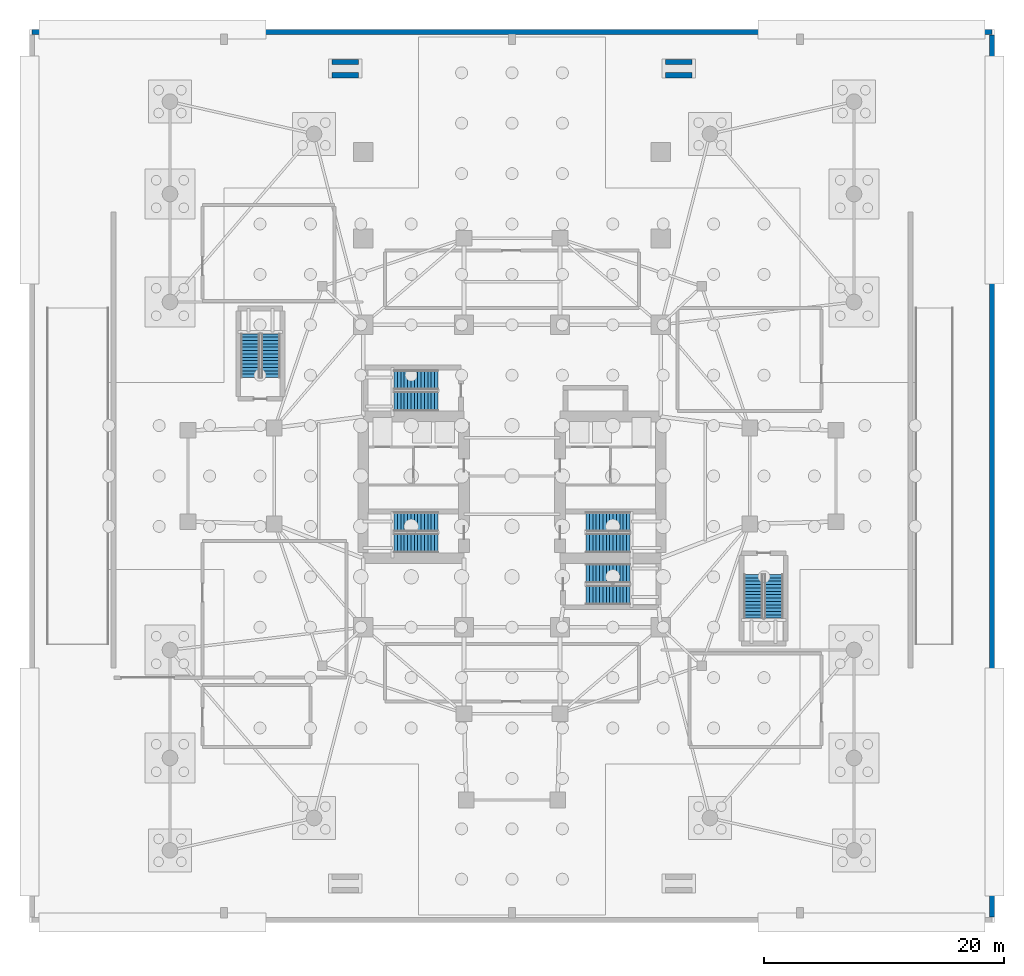
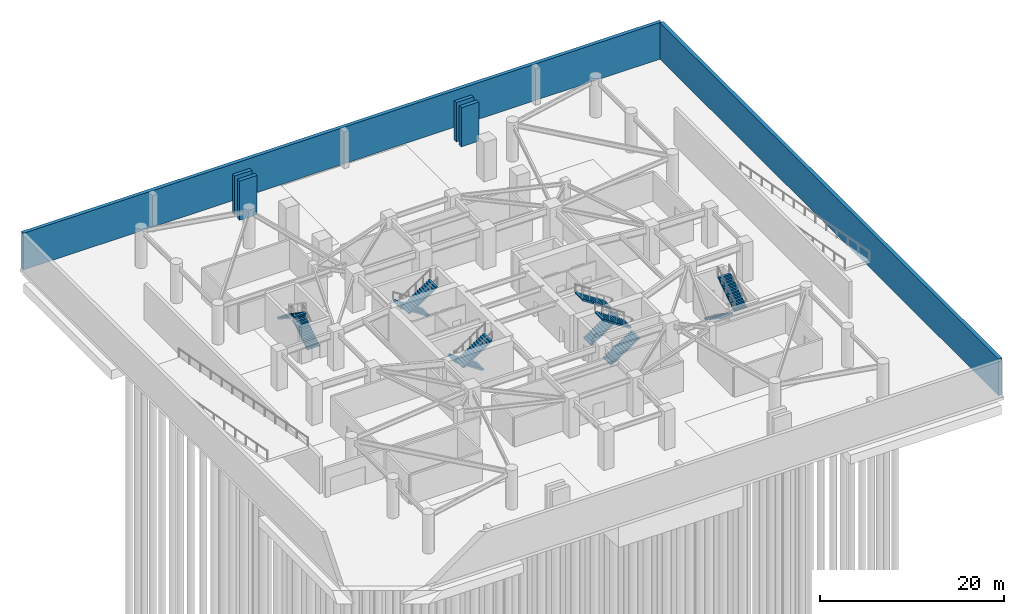
# One storey, part 8 of 14: 12 stair flights, 6 walls, 6 elements without a shape of their own.
"""IFC4 building model written with IfcOpenShell, lengths in metres."""

from ifc_helpers import new_model, si_unit, direction, frame, frame_2d, origin, place, context, subcontext, project, spatial, polyline, rectangle, outline, extrude, material, layer, layer_set, type_object, element, aggregate, save


model = new_model("IFC4")

# Units and contexts
model_context = context("Model", 3, precision=1e-05, world=origin(), true_north=direction((0.0, 1.0)))
body_context = subcontext(model_context, "Body", "Model", "MODEL_VIEW")
ifc_project = project(units=[si_unit("LENGTHUNIT", "METRE"), si_unit("AREAUNIT", "SQUARE_METRE"), si_unit("VOLUMEUNIT", "CUBIC_METRE"), si_unit("PLANEANGLEUNIT", "RADIAN"), si_unit("MASSUNIT", "GRAM", prefix="KILO")], contexts=[model_context])

# Site, building, storey
site_placement = place(None, origin())
site = spatial("IfcSite", under=ifc_project, at=site_placement, CompositionType="ELEMENT")
building_placement = place(site_placement, origin())
building = spatial("IfcBuilding", under=site, at=building_placement, Name="Qingluan Cross Belvedere", CompositionType="ELEMENT")
storey_placement = place(building_placement, frame((0.0, 0.0, -10.39990234375)))
storey = spatial("IfcBuildingStorey", under=building, at=storey_placement, Name="B2", CompositionType="ELEMENT", Elevation=-10.39990234375)

# Walls
ifc_material_1 = material(Name="Concrete C50", Category="concrete")
ifc_layer_1 = layer(ifc_material_1, 0.449951171875, Name="CoreShearWall_450")
ifc_layer_set_1 = layer_set([ifc_layer_1], Name="Concrete C50")
wall_type_1 = type_object("IfcWallType", Name="CoreShearWall_450", PredefinedType="SHEAR", material=ifc_layer_set_1)
for number, where, z_axis, x_axis, name in (
    (1, (-15.0, 34.5, 0.0), (0.0, 0.0, 1.0), (1.0, 0.0, 0.0), "Entrance ramp structural support wall B2-5"),
    (2, (-15.0, 33.39990234375, 0.0), (0.0, 0.0, 1.0), (1.0, 0.0, 0.0), "Entrance ramp structural support wall B2-6"),
    (3, (12.800048828125, 34.5, 0.0), (0.0, 0.0, 1.0), (1.0, 0.0, 0.0), "Entrance ramp structural support wall B2-7"),
    (4, (12.800048828125, 33.39990234375, 0.0), (0.0, 0.0, 1.0), (1.0, 0.0, 0.0), "Entrance ramp structural support wall B2-8"),
):
    element("IfcWall", number, at=place(storey_placement, frame(where, z_axis=z_axis, x_axis=x_axis)), inside=storey, type_object=wall_type_1, Name=name, PredefinedType="SHEAR", context=body_context, shape_type="SweptSolid", body=[
        extrude(rectangle(XDim=2.199951171875, YDim=0.449951171875, at=frame_2d((1.10009765625, 0.0))), origin(), (0.0, 0.0, 1.0), 5.199951171875),
    ])
ifc_material_2 = material(Name="Concrete C40", Category="concrete")
ifc_layer_2 = layer(ifc_material_2, 0.449951171875, Name="RetainingWall_450")
ifc_layer_set_2 = layer_set([ifc_layer_2], Name="Concrete C40")
wall_type_2 = type_object("IfcWallType", Name="RetainingWall_450", PredefinedType="USERDEFINED", material=ifc_layer_set_2)
wall_1_placement = place(storey_placement, frame((-40.0, 37.0, 0.0), z_axis=(0.0, 0.0, 1.0), x_axis=(1.0, 0.0, 0.0)))
element("IfcWall", 5, at=wall_1_placement, inside=storey, type_object=wall_type_2, Name="Basement perimeter retaining wall B2-N", ObjectType="RETAININGWALL", PredefinedType="USERDEFINED", context=body_context, shape_type="SweptSolid", body=[
    extrude(rectangle(XDim=80.0, YDim=0.449951171875, at=frame_2d((40.0, 0.0))), origin(), (0.0, 0.0, 1.0), 4.849853515625),
])
wall_2_placement = place(storey_placement, frame((40.0, -36.77001953125, 0.0), z_axis=(0.0, 0.0, 1.0), x_axis=(0.0, 1.0, 0.0)))
element("IfcWall", 6, at=wall_2_placement, inside=storey, type_object=wall_type_2, Name="Basement perimeter retaining wall B2-E", ObjectType="RETAININGWALL", PredefinedType="USERDEFINED", context=body_context, shape_type="SweptSolid", body=[
    extrude(rectangle(XDim=73.5400390625, YDim=0.449951171875, at=frame_2d((36.77001953125, 0.0))), origin(), (0.0, 0.0, 1.0), 4.849853515625),
])

# Stair, stair flights
ifc_material_3 = material(Name="Concrete C40", Category="concrete")
stair_type_1 = type_object("IfcStairType", Name="PodiumExitStair_1550", PredefinedType="HALF_TURN_STAIR", material=ifc_material_3)
stair_1_placement = place(storey_placement, origin())
stair_1 = element("IfcStair", 7, at=stair_1_placement, inside=storey, type_object=stair_type_1, Name="B2 ST5", PredefinedType="HALF_TURN_STAIR")
ifc_material_4 = material(Name="Concrete C40", Category="concrete")
ifc_layer_3 = layer(ifc_material_4, 0.179931640625, Name="PodiumStairFlight_RC180")
ifc_layer_set_3 = layer_set([ifc_layer_3], Name="Concrete C40")
stair_flight_type_1 = type_object("IfcStairFlightType", Name="PodiumStairFlight_RC180", PredefinedType="STRAIGHT", material=ifc_layer_set_3)
stair_flight_1_placement = place(storey_placement, frame((-20.114990234375, 8.2099609375, 0.0), z_axis=(0.0, 0.0, 1.0), x_axis=(0.0, 1.0, 0.0)))
stair_flight_1 = element("IfcStairFlight", 8, at=stair_flight_1_placement, type_object=stair_flight_type_1, Name="ST5 flight 1", NumberOfRisers=14, NumberOfTreads=13, PredefinedType="STRAIGHT", RiserHeight=0.185714286, TreadLength=0.28, context=body_context, shape_type="SweptSolid", body=[
    extrude(outline(polyline([(0.0, 0.0), (0.0, 0.185791015625), (0.280029296875, 0.185791015625), (0.280029296875, 0.371337890625), (0.56005859375, 0.371337890625), (0.56005859375, 0.55712890625), (0.840087890625, 0.55712890625), (0.840087890625, 0.742919921875), (1.1201171875, 0.742919921875), (1.1201171875, 0.928466796875), (1.39990234375, 0.928466796875), (1.39990234375, 1.1142578125), (1.679931640625, 1.1142578125), (1.679931640625, 1.300048828125), (1.9599609375, 1.300048828125), (1.9599609375, 1.485595703125), (2.239990234375, 1.485595703125), (2.239990234375, 1.67138671875), (2.52001953125, 1.67138671875), (2.52001953125, 1.857177734375), (2.800048828125, 1.857177734375), (2.800048828125, 2.04296875), (3.080078125, 2.04296875), (3.080078125, 2.228515625), (3.360107421875, 2.228515625), (3.360107421875, 2.414306640625), (3.639892578125, 2.414306640625), (3.639892578125, 2.60009765625), (3.639892578125, 2.234375), (0.271240234375, 0.0), (0.0, 0.0)])), frame((0.0, 0.77490234375, 0.0), z_axis=(0.0, -1.0, 0.0), x_axis=(1.0, 0.0, 0.0)), (0.0, 0.0, 1.0), 1.550048828125),
])
stair_flight_2_placement = place(storey_placement, frame((-21.824951171875, 11.85009765625, 2.599853515625), z_axis=(0.0, 0.0, 1.0), x_axis=(0.0, -1.0, 0.0)))
stair_flight_2 = element("IfcStairFlight", 9, at=stair_flight_2_placement, type_object=stair_flight_type_1, Name="ST5 flight 2", NumberOfRisers=14, NumberOfTreads=13, PredefinedType="STRAIGHT", RiserHeight=0.185714286, TreadLength=0.28, context=body_context, shape_type="SweptSolid", body=[
    extrude(outline(polyline([(0.0, 0.0), (0.0, 0.185791015625), (0.280029296875, 0.185791015625), (0.280029296875, 0.371337890625), (0.56005859375, 0.371337890625), (0.56005859375, 0.55712890625), (0.840087890625, 0.55712890625), (0.840087890625, 0.742919921875), (1.1201171875, 0.742919921875), (1.1201171875, 0.928466796875), (1.39990234375, 0.928466796875), (1.39990234375, 1.1142578125), (1.679931640625, 1.1142578125), (1.679931640625, 1.300048828125), (1.9599609375, 1.300048828125), (1.9599609375, 1.485595703125), (2.239990234375, 1.485595703125), (2.239990234375, 1.67138671875), (2.52001953125, 1.67138671875), (2.52001953125, 1.857177734375), (2.800048828125, 1.857177734375), (2.800048828125, 2.04296875), (3.080078125, 2.04296875), (3.080078125, 2.228515625), (3.360107421875, 2.228515625), (3.360107421875, 2.414306640625), (3.639892578125, 2.414306640625), (3.639892578125, 2.60009765625), (3.639892578125, 2.234375), (0.271240234375, 0.0), (0.0, 0.0)])), frame((0.0, 0.77490234375, 0.0), z_axis=(0.0, -1.0, 0.0), x_axis=(1.0, 0.0, 0.0)), (0.0, 0.0, 1.0), 1.550048828125),
])
aggregate(stair_1, [stair_flight_1, stair_flight_2])

stair_2_placement = place(storey_placement, origin())
stair_2 = element("IfcStair", 10, at=stair_2_placement, inside=storey, type_object=stair_type_1, Name="B2 ST6", PredefinedType="HALF_TURN_STAIR")
stair_flight_3_placement = place(storey_placement, frame((20.114990234375, -8.2099609375, 0.0), z_axis=(0.0, 0.0, 1.0), x_axis=(0.0, -1.0, 0.0)))
stair_flight_3 = element("IfcStairFlight", 11, at=stair_flight_3_placement, type_object=stair_flight_type_1, Name="ST6 flight 1", NumberOfRisers=14, NumberOfTreads=13, PredefinedType="STRAIGHT", RiserHeight=0.185714286, TreadLength=0.28, context=body_context, shape_type="SweptSolid", body=[
    extrude(outline(polyline([(0.0, 0.0), (0.0, 0.185791015625), (0.280029296875, 0.185791015625), (0.280029296875, 0.371337890625), (0.56005859375, 0.371337890625), (0.56005859375, 0.55712890625), (0.840087890625, 0.55712890625), (0.840087890625, 0.742919921875), (1.1201171875, 0.742919921875), (1.1201171875, 0.928466796875), (1.39990234375, 0.928466796875), (1.39990234375, 1.1142578125), (1.679931640625, 1.1142578125), (1.679931640625, 1.300048828125), (1.9599609375, 1.300048828125), (1.9599609375, 1.485595703125), (2.239990234375, 1.485595703125), (2.239990234375, 1.67138671875), (2.52001953125, 1.67138671875), (2.52001953125, 1.857177734375), (2.800048828125, 1.857177734375), (2.800048828125, 2.04296875), (3.080078125, 2.04296875), (3.080078125, 2.228515625), (3.360107421875, 2.228515625), (3.360107421875, 2.414306640625), (3.639892578125, 2.414306640625), (3.639892578125, 2.60009765625), (3.639892578125, 2.234375), (0.271240234375, 0.0), (0.0, 0.0)])), frame((0.0, 0.77490234375, 0.0), z_axis=(0.0, -1.0, 0.0), x_axis=(1.0, 0.0, 0.0)), (0.0, 0.0, 1.0), 1.550048828125),
])
stair_flight_4_placement = place(storey_placement, frame((21.824951171875, -11.85009765625, 2.599853515625), z_axis=(0.0, 0.0, 1.0), x_axis=(0.0, 1.0, 0.0)))
stair_flight_4 = element("IfcStairFlight", 12, at=stair_flight_4_placement, type_object=stair_flight_type_1, Name="ST6 flight 2", NumberOfRisers=14, NumberOfTreads=13, PredefinedType="STRAIGHT", RiserHeight=0.185714286, TreadLength=0.28, context=body_context, shape_type="SweptSolid", body=[
    extrude(outline(polyline([(0.0, 0.0), (0.0, 0.185791015625), (0.280029296875, 0.185791015625), (0.280029296875, 0.371337890625), (0.56005859375, 0.371337890625), (0.56005859375, 0.55712890625), (0.840087890625, 0.55712890625), (0.840087890625, 0.742919921875), (1.1201171875, 0.742919921875), (1.1201171875, 0.928466796875), (1.39990234375, 0.928466796875), (1.39990234375, 1.1142578125), (1.679931640625, 1.1142578125), (1.679931640625, 1.300048828125), (1.9599609375, 1.300048828125), (1.9599609375, 1.485595703125), (2.239990234375, 1.485595703125), (2.239990234375, 1.67138671875), (2.52001953125, 1.67138671875), (2.52001953125, 1.857177734375), (2.800048828125, 1.857177734375), (2.800048828125, 2.04296875), (3.080078125, 2.04296875), (3.080078125, 2.228515625), (3.360107421875, 2.228515625), (3.360107421875, 2.414306640625), (3.639892578125, 2.414306640625), (3.639892578125, 2.60009765625), (3.639892578125, 2.234375), (0.271240234375, 0.0), (0.0, 0.0)])), frame((0.0, 0.77490234375, 0.0), z_axis=(0.0, -1.0, 0.0), x_axis=(1.0, 0.0, 0.0)), (0.0, 0.0, 1.0), 1.550048828125),
])
aggregate(stair_2, [stair_flight_3, stair_flight_4])

ifc_material_5 = material(Name="Concrete C40", Category="concrete")
stair_type_2 = type_object("IfcStairType", Name="CoreDoglegStair_1620", PredefinedType="HALF_TURN_STAIR", material=ifc_material_5)
stair_3_placement = place(storey_placement, origin())
stair_3 = element("IfcStair", 13, at=stair_3_placement, inside=storey, type_object=stair_type_2, Name="B2 ST1", PredefinedType="HALF_TURN_STAIR")
ifc_material_6 = material(Name="Concrete C40", Category="concrete")
ifc_layer_4 = layer(ifc_material_6, 0.179931640625, Name="StairFlight_RC180")
ifc_layer_set_4 = layer_set([ifc_layer_4], Name="Concrete C40")
stair_flight_type_2 = type_object("IfcStairFlightType", Name="StairFlight_RC180", PredefinedType="STRAIGHT", material=ifc_layer_set_4)
stair_flight_5_placement = place(storey_placement, frame((-6.179931640625, -3.81005859375, 0.0), z_axis=(0.0, 0.0, 1.0), x_axis=(-1.0, 0.0, 0.0)))
stair_flight_5 = element("IfcStairFlight", 14, at=stair_flight_5_placement, type_object=stair_flight_type_2, Name="ST1 flight 1", NumberOfRisers=14, NumberOfTreads=13, PredefinedType="STRAIGHT", RiserHeight=0.185714286, TreadLength=0.28, context=body_context, shape_type="SweptSolid", body=[
    extrude(outline(polyline([(0.0, 0.0), (0.0, 0.185791015625), (0.280029296875, 0.185791015625), (0.280029296875, 0.371337890625), (0.56005859375, 0.371337890625), (0.56005859375, 0.55712890625), (0.840087890625, 0.55712890625), (0.840087890625, 0.742919921875), (1.1201171875, 0.742919921875), (1.1201171875, 0.928466796875), (1.39990234375, 0.928466796875), (1.39990234375, 1.1142578125), (1.679931640625, 1.1142578125), (1.679931640625, 1.300048828125), (1.9599609375, 1.300048828125), (1.9599609375, 1.485595703125), (2.239990234375, 1.485595703125), (2.239990234375, 1.67138671875), (2.52001953125, 1.67138671875), (2.52001953125, 1.857177734375), (2.800048828125, 1.857177734375), (2.800048828125, 2.04296875), (3.080078125, 2.04296875), (3.080078125, 2.228515625), (3.360107421875, 2.228515625), (3.360107421875, 2.414306640625), (3.639892578125, 2.414306640625), (3.639892578125, 2.60009765625), (3.639892578125, 2.234375), (0.271240234375, 0.0), (0.0, 0.0)])), frame((0.0, 0.81005859375, 0.0), z_axis=(0.0, -1.0, 0.0), x_axis=(1.0, 0.0, 0.0)), (0.0, 0.0, 1.0), 1.6201171875),
])
stair_flight_6_placement = place(storey_placement, frame((-9.820068359375, -5.590087890625, 2.599853515625), z_axis=(0.0, 0.0, 1.0), x_axis=(1.0, 0.0, 0.0)))
stair_flight_6 = element("IfcStairFlight", 15, at=stair_flight_6_placement, type_object=stair_flight_type_2, Name="ST1 flight 2", NumberOfRisers=14, NumberOfTreads=13, PredefinedType="STRAIGHT", RiserHeight=0.185714286, TreadLength=0.28, context=body_context, shape_type="SweptSolid", body=[
    extrude(outline(polyline([(0.0, 0.0), (0.0, 0.185791015625), (0.280029296875, 0.185791015625), (0.280029296875, 0.371337890625), (0.56005859375, 0.371337890625), (0.56005859375, 0.55712890625), (0.840087890625, 0.55712890625), (0.840087890625, 0.742919921875), (1.1201171875, 0.742919921875), (1.1201171875, 0.928466796875), (1.39990234375, 0.928466796875), (1.39990234375, 1.1142578125), (1.679931640625, 1.1142578125), (1.679931640625, 1.300048828125), (1.9599609375, 1.300048828125), (1.9599609375, 1.485595703125), (2.239990234375, 1.485595703125), (2.239990234375, 1.67138671875), (2.52001953125, 1.67138671875), (2.52001953125, 1.857177734375), (2.800048828125, 1.857177734375), (2.800048828125, 2.04296875), (3.080078125, 2.04296875), (3.080078125, 2.228515625), (3.360107421875, 2.228515625), (3.360107421875, 2.414306640625), (3.639892578125, 2.414306640625), (3.639892578125, 2.60009765625), (3.639892578125, 2.234375), (0.271240234375, 0.0), (0.0, 0.0)])), frame((0.0, 0.81005859375, 0.0), z_axis=(0.0, -1.0, 0.0), x_axis=(1.0, 0.0, 0.0)), (0.0, 0.0, 1.0), 1.6201171875),
])
aggregate(stair_3, [stair_flight_5, stair_flight_6])

stair_4_placement = place(storey_placement, origin())
stair_4 = element("IfcStair", 16, at=stair_4_placement, inside=storey, type_object=stair_type_2, Name="B2 ST2", PredefinedType="HALF_TURN_STAIR")
stair_flight_7_placement = place(storey_placement, frame((6.179931640625, -5.590087890625, 0.0), z_axis=(0.0, 0.0, 1.0), x_axis=(1.0, 0.0, 0.0)))
stair_flight_7 = element("IfcStairFlight", 17, at=stair_flight_7_placement, type_object=stair_flight_type_2, Name="ST2 flight 1", NumberOfRisers=14, NumberOfTreads=13, PredefinedType="STRAIGHT", RiserHeight=0.185714286, TreadLength=0.28, context=body_context, shape_type="SweptSolid", body=[
    extrude(outline(polyline([(0.0, 0.0), (0.0, 0.185791015625), (0.280029296875, 0.185791015625), (0.280029296875, 0.371337890625), (0.56005859375, 0.371337890625), (0.56005859375, 0.55712890625), (0.840087890625, 0.55712890625), (0.840087890625, 0.742919921875), (1.1201171875, 0.742919921875), (1.1201171875, 0.928466796875), (1.39990234375, 0.928466796875), (1.39990234375, 1.1142578125), (1.679931640625, 1.1142578125), (1.679931640625, 1.300048828125), (1.9599609375, 1.300048828125), (1.9599609375, 1.485595703125), (2.239990234375, 1.485595703125), (2.239990234375, 1.67138671875), (2.52001953125, 1.67138671875), (2.52001953125, 1.857177734375), (2.800048828125, 1.857177734375), (2.800048828125, 2.04296875), (3.080078125, 2.04296875), (3.080078125, 2.228515625), (3.360107421875, 2.228515625), (3.360107421875, 2.414306640625), (3.639892578125, 2.414306640625), (3.639892578125, 2.60009765625), (3.639892578125, 2.234375), (0.271240234375, 0.0), (0.0, 0.0)])), frame((0.0, 0.81005859375, 0.0), z_axis=(0.0, -1.0, 0.0), x_axis=(1.0, 0.0, 0.0)), (0.0, 0.0, 1.0), 1.6201171875),
])
stair_flight_8_placement = place(storey_placement, frame((9.820068359375, -3.81005859375, 2.599853515625), z_axis=(0.0, 0.0, 1.0), x_axis=(-1.0, 0.0, 0.0)))
stair_flight_8 = element("IfcStairFlight", 18, at=stair_flight_8_placement, type_object=stair_flight_type_2, Name="ST2 flight 2", NumberOfRisers=14, NumberOfTreads=13, PredefinedType="STRAIGHT", RiserHeight=0.185714286, TreadLength=0.28, context=body_context, shape_type="SweptSolid", body=[
    extrude(outline(polyline([(0.0, 0.0), (0.0, 0.185791015625), (0.280029296875, 0.185791015625), (0.280029296875, 0.371337890625), (0.56005859375, 0.371337890625), (0.56005859375, 0.55712890625), (0.840087890625, 0.55712890625), (0.840087890625, 0.742919921875), (1.1201171875, 0.742919921875), (1.1201171875, 0.928466796875), (1.39990234375, 0.928466796875), (1.39990234375, 1.1142578125), (1.679931640625, 1.1142578125), (1.679931640625, 1.300048828125), (1.9599609375, 1.300048828125), (1.9599609375, 1.485595703125), (2.239990234375, 1.485595703125), (2.239990234375, 1.67138671875), (2.52001953125, 1.67138671875), (2.52001953125, 1.857177734375), (2.800048828125, 1.857177734375), (2.800048828125, 2.04296875), (3.080078125, 2.04296875), (3.080078125, 2.228515625), (3.360107421875, 2.228515625), (3.360107421875, 2.414306640625), (3.639892578125, 2.414306640625), (3.639892578125, 2.60009765625), (3.639892578125, 2.234375), (0.271240234375, 0.0), (0.0, 0.0)])), frame((0.0, 0.81005859375, 0.0), z_axis=(0.0, -1.0, 0.0), x_axis=(1.0, 0.0, 0.0)), (0.0, 0.0, 1.0), 1.6201171875),
])
aggregate(stair_4, [stair_flight_7, stair_flight_8])

stair_5_placement = place(storey_placement, origin())
stair_5 = element("IfcStair", 19, at=stair_5_placement, inside=storey, type_object=stair_type_2, Name="B2 ST3", PredefinedType="HALF_TURN_STAIR")
stair_flight_9_placement = place(storey_placement, frame((-6.179931640625, 8.010009765625, 0.0), z_axis=(0.0, 0.0, 1.0), x_axis=(-1.0, 0.0, 0.0)))
stair_flight_9 = element("IfcStairFlight", 20, at=stair_flight_9_placement, type_object=stair_flight_type_2, Name="ST3 flight 1", NumberOfRisers=14, NumberOfTreads=13, PredefinedType="STRAIGHT", RiserHeight=0.185714286, TreadLength=0.28, context=body_context, shape_type="SweptSolid", body=[
    extrude(outline(polyline([(0.0, 0.0), (0.0, 0.185791015625), (0.280029296875, 0.185791015625), (0.280029296875, 0.371337890625), (0.56005859375, 0.371337890625), (0.56005859375, 0.55712890625), (0.840087890625, 0.55712890625), (0.840087890625, 0.742919921875), (1.1201171875, 0.742919921875), (1.1201171875, 0.928466796875), (1.39990234375, 0.928466796875), (1.39990234375, 1.1142578125), (1.679931640625, 1.1142578125), (1.679931640625, 1.300048828125), (1.9599609375, 1.300048828125), (1.9599609375, 1.485595703125), (2.239990234375, 1.485595703125), (2.239990234375, 1.67138671875), (2.52001953125, 1.67138671875), (2.52001953125, 1.857177734375), (2.800048828125, 1.857177734375), (2.800048828125, 2.04296875), (3.080078125, 2.04296875), (3.080078125, 2.228515625), (3.360107421875, 2.228515625), (3.360107421875, 2.414306640625), (3.639892578125, 2.414306640625), (3.639892578125, 2.60009765625), (3.639892578125, 2.234375), (0.271240234375, 0.0), (0.0, 0.0)])), frame((0.0, 0.81005859375, 0.0), z_axis=(0.0, -1.0, 0.0), x_axis=(1.0, 0.0, 0.0)), (0.0, 0.0, 1.0), 1.6201171875),
])
stair_flight_10_placement = place(storey_placement, frame((-9.820068359375, 6.22998046875, 2.599853515625), z_axis=(0.0, 0.0, 1.0), x_axis=(1.0, 0.0, 0.0)))
stair_flight_10 = element("IfcStairFlight", 21, at=stair_flight_10_placement, type_object=stair_flight_type_2, Name="ST3 flight 2", NumberOfRisers=14, NumberOfTreads=13, PredefinedType="STRAIGHT", RiserHeight=0.185714286, TreadLength=0.28, context=body_context, shape_type="SweptSolid", body=[
    extrude(outline(polyline([(0.0, 0.0), (0.0, 0.185791015625), (0.280029296875, 0.185791015625), (0.280029296875, 0.371337890625), (0.56005859375, 0.371337890625), (0.56005859375, 0.55712890625), (0.840087890625, 0.55712890625), (0.840087890625, 0.742919921875), (1.1201171875, 0.742919921875), (1.1201171875, 0.928466796875), (1.39990234375, 0.928466796875), (1.39990234375, 1.1142578125), (1.679931640625, 1.1142578125), (1.679931640625, 1.300048828125), (1.9599609375, 1.300048828125), (1.9599609375, 1.485595703125), (2.239990234375, 1.485595703125), (2.239990234375, 1.67138671875), (2.52001953125, 1.67138671875), (2.52001953125, 1.857177734375), (2.800048828125, 1.857177734375), (2.800048828125, 2.04296875), (3.080078125, 2.04296875), (3.080078125, 2.228515625), (3.360107421875, 2.228515625), (3.360107421875, 2.414306640625), (3.639892578125, 2.414306640625), (3.639892578125, 2.60009765625), (3.639892578125, 2.234375), (0.271240234375, 0.0), (0.0, 0.0)])), frame((0.0, 0.81005859375, 0.0), z_axis=(0.0, -1.0, 0.0), x_axis=(1.0, 0.0, 0.0)), (0.0, 0.0, 1.0), 1.6201171875),
])
aggregate(stair_5, [stair_flight_9, stair_flight_10])

stair_6_placement = place(storey_placement, origin())
stair_6 = element("IfcStair", 22, at=stair_6_placement, inside=storey, type_object=stair_type_2, Name="B2 ST4", PredefinedType="HALF_TURN_STAIR")
stair_flight_11_placement = place(storey_placement, frame((6.179931640625, -9.909912109375, 0.0), z_axis=(0.0, 0.0, 1.0), x_axis=(1.0, 0.0, 0.0)))
stair_flight_11 = element("IfcStairFlight", 23, at=stair_flight_11_placement, type_object=stair_flight_type_2, Name="ST4 flight 1", NumberOfRisers=14, NumberOfTreads=13, PredefinedType="STRAIGHT", RiserHeight=0.185714286, TreadLength=0.28, context=body_context, shape_type="SweptSolid", body=[
    extrude(outline(polyline([(0.0, 0.0), (0.0, 0.185791015625), (0.280029296875, 0.185791015625), (0.280029296875, 0.371337890625), (0.56005859375, 0.371337890625), (0.56005859375, 0.55712890625), (0.840087890625, 0.55712890625), (0.840087890625, 0.742919921875), (1.1201171875, 0.742919921875), (1.1201171875, 0.928466796875), (1.39990234375, 0.928466796875), (1.39990234375, 1.1142578125), (1.679931640625, 1.1142578125), (1.679931640625, 1.300048828125), (1.9599609375, 1.300048828125), (1.9599609375, 1.485595703125), (2.239990234375, 1.485595703125), (2.239990234375, 1.67138671875), (2.52001953125, 1.67138671875), (2.52001953125, 1.857177734375), (2.800048828125, 1.857177734375), (2.800048828125, 2.04296875), (3.080078125, 2.04296875), (3.080078125, 2.228515625), (3.360107421875, 2.228515625), (3.360107421875, 2.414306640625), (3.639892578125, 2.414306640625), (3.639892578125, 2.60009765625), (3.639892578125, 2.234375), (0.271240234375, 0.0), (0.0, 0.0)])), frame((0.0, 0.81005859375, 0.0), z_axis=(0.0, -1.0, 0.0), x_axis=(1.0, 0.0, 0.0)), (0.0, 0.0, 1.0), 1.6201171875),
])
stair_flight_12_placement = place(storey_placement, frame((9.820068359375, -8.1298828125, 2.599853515625), z_axis=(0.0, 0.0, 1.0), x_axis=(-1.0, 0.0, 0.0)))
stair_flight_12 = element("IfcStairFlight", 24, at=stair_flight_12_placement, type_object=stair_flight_type_2, Name="ST4 flight 2", NumberOfRisers=14, NumberOfTreads=13, PredefinedType="STRAIGHT", RiserHeight=0.185714286, TreadLength=0.28, context=body_context, shape_type="SweptSolid", body=[
    extrude(outline(polyline([(0.0, 0.0), (0.0, 0.185791015625), (0.280029296875, 0.185791015625), (0.280029296875, 0.371337890625), (0.56005859375, 0.371337890625), (0.56005859375, 0.55712890625), (0.840087890625, 0.55712890625), (0.840087890625, 0.742919921875), (1.1201171875, 0.742919921875), (1.1201171875, 0.928466796875), (1.39990234375, 0.928466796875), (1.39990234375, 1.1142578125), (1.679931640625, 1.1142578125), (1.679931640625, 1.300048828125), (1.9599609375, 1.300048828125), (1.9599609375, 1.485595703125), (2.239990234375, 1.485595703125), (2.239990234375, 1.67138671875), (2.52001953125, 1.67138671875), (2.52001953125, 1.857177734375), (2.800048828125, 1.857177734375), (2.800048828125, 2.04296875), (3.080078125, 2.04296875), (3.080078125, 2.228515625), (3.360107421875, 2.228515625), (3.360107421875, 2.414306640625), (3.639892578125, 2.414306640625), (3.639892578125, 2.60009765625), (3.639892578125, 2.234375), (0.271240234375, 0.0), (0.0, 0.0)])), frame((0.0, 0.81005859375, 0.0), z_axis=(0.0, -1.0, 0.0), x_axis=(1.0, 0.0, 0.0)), (0.0, 0.0, 1.0), 1.6201171875),
])
aggregate(stair_6, [stair_flight_11, stair_flight_12])

save(model, "model.ifc")
